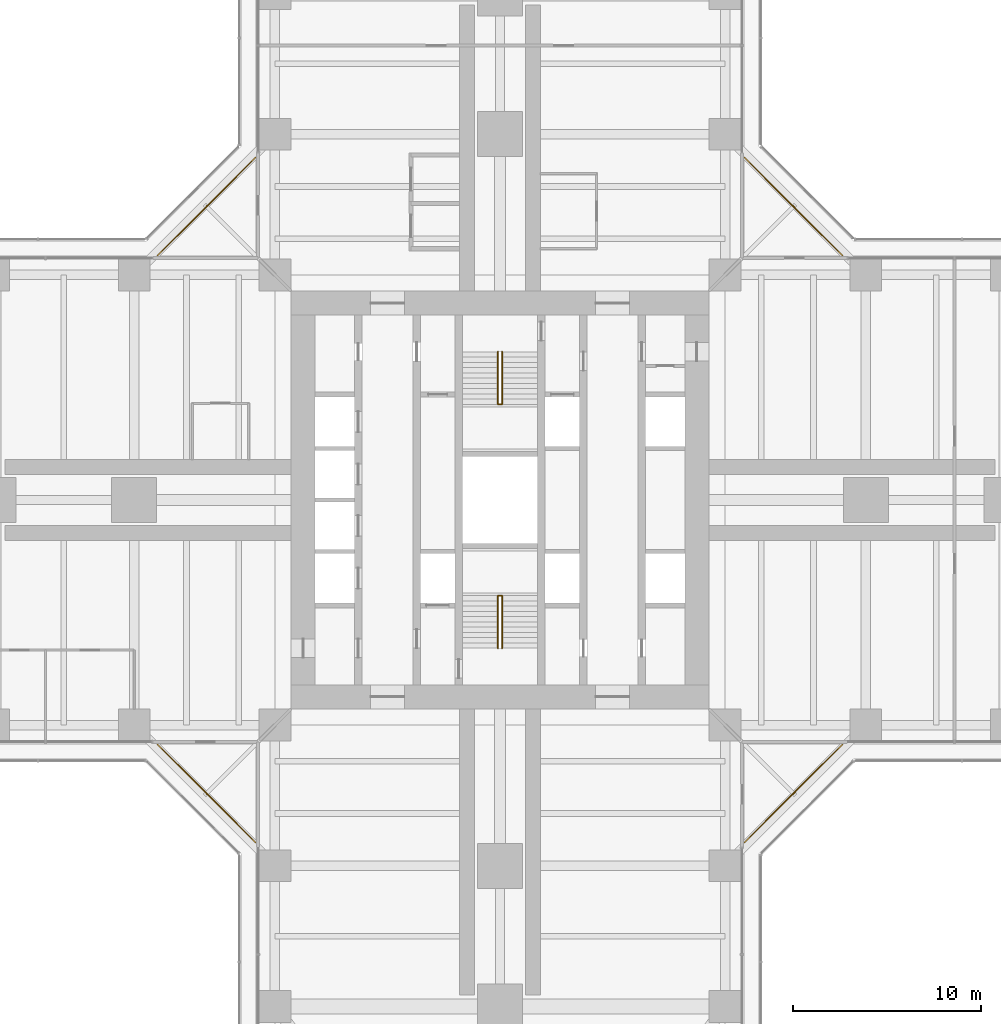
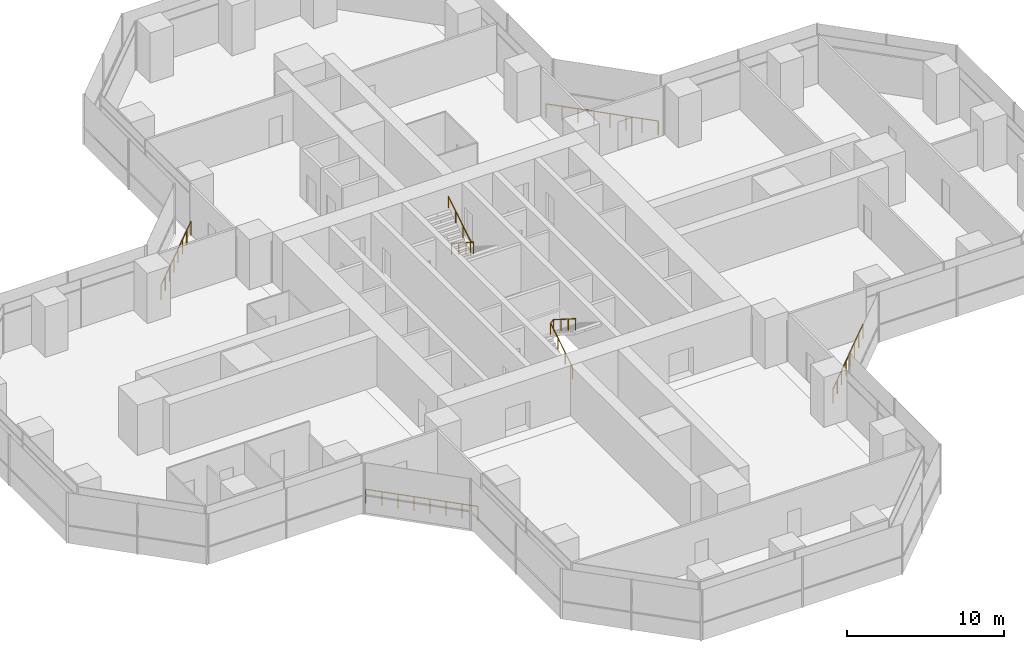
# One storey, part 22 of 22: 6 railings.
"""IFC4 building model written with IfcOpenShell, lengths in metres."""

from ifc_helpers import new_model, si_unit, direction, frame, origin, origin_2d, place, context, subcontext, project, spatial, circle, extrude, material, type_object, element, save


model = new_model("IFC4")

# Units and contexts
model_context = context("Model", 3, precision=1e-05, world=origin(), true_north=direction((0.0, 1.0)))
body_context = subcontext(model_context, "Body", "Model", "MODEL_VIEW")
ifc_project = project(units=[si_unit("LENGTHUNIT", "METRE"), si_unit("AREAUNIT", "SQUARE_METRE"), si_unit("VOLUMEUNIT", "CUBIC_METRE"), si_unit("PLANEANGLEUNIT", "RADIAN"), si_unit("MASSUNIT", "GRAM", prefix="KILO")], contexts=[model_context])

# Site, building, storey
site_placement = place(None, origin())
site = spatial("IfcSite", under=ifc_project, at=site_placement, CompositionType="ELEMENT")
building_placement = place(site_placement, origin())
building = spatial("IfcBuilding", under=site, at=building_placement, Name="Mizan Broadcast Tower", CompositionType="ELEMENT")
storey_placement = place(building_placement, frame((0.0, 0.0, 66.89990234375)))
storey = spatial("IfcBuildingStorey", under=building, at=storey_placement, Name="L13", CompositionType="ELEMENT", Elevation=66.89990234375)

# Railings
ifc_material_1 = material(Name="Stainless steel and glass guard", Category="steel")
railing_type_1 = type_object("IfcRailingType", Name="GUARD 1100", PredefinedType="GUARDRAIL", material=ifc_material_1)
railing_1_placement = place(storey_placement, frame((18.2578125, 13.030029296875, 0.0)))
element("IfcRailing", 1, at=railing_1_placement, inside=storey, type_object=railing_type_1, Name="Winter garden guard L13 E", PredefinedType="GUARDRAIL", context=body_context, shape_type="SweptSolid", body=[
    extrude(circle(Radius=0.02392578125, at=origin_2d()), frame((0.0, 0.0, 1.076171875), z_axis=(-0.707106781187, 0.707106781187, 0.0), x_axis=(-0.707106781187, -0.707106781187, 0.0)), (0.0, 0.0, 1.0), 7.393310546875),
    extrude(circle(Radius=0.02099609375, at=origin_2d()), origin(), (0.0, 0.0, 1.0), 1.052001953125),
    extrude(circle(Radius=0.02099609375, at=origin_2d()), frame((-0.746826171875, 0.746826171875, 0.0)), (0.0, 0.0, 1.0), 1.052001953125),
    extrude(circle(Radius=0.02099609375, at=origin_2d()), frame((-1.49365234375, 1.49365234375, 0.0)), (0.0, 0.0, 1.0), 1.052001953125),
    extrude(circle(Radius=0.02099609375, at=origin_2d()), frame((-2.240478515625, 2.240478515625, 0.0)), (0.0, 0.0, 1.0), 1.052001953125),
    extrude(circle(Radius=0.02099609375, at=origin_2d()), frame((-2.9873046875, 2.9873046875, 0.0)), (0.0, 0.0, 1.0), 1.052001953125),
    extrude(circle(Radius=0.02099609375, at=origin_2d()), frame((-3.734130859375, 3.734130859375, 0.0)), (0.0, 0.0, 1.0), 1.052001953125),
    extrude(circle(Radius=0.02099609375, at=origin_2d()), frame((-4.48095703125, 4.48095703125, 0.0)), (0.0, 0.0, 1.0), 1.052001953125),
    extrude(circle(Radius=0.02099609375, at=origin_2d()), frame((-5.227783203125, 5.227783203125, 0.0)), (0.0, 0.0, 1.0), 1.052001953125),
])
railing_2_placement = place(storey_placement, frame((-13.030029296875, 18.2578125, 0.0)))
element("IfcRailing", 2, at=railing_2_placement, inside=storey, type_object=railing_type_1, Name="Winter garden guard L13 N", PredefinedType="GUARDRAIL", context=body_context, shape_type="SweptSolid", body=[
    extrude(circle(Radius=0.02392578125, at=origin_2d()), frame((0.0, 0.0, 1.076171875), z_axis=(-0.707106781187, -0.707106781187, 0.0), x_axis=(0.707106781187, -0.707106781187, 0.0)), (0.0, 0.0, 1.0), 7.393310546875),
    extrude(circle(Radius=0.02099609375, at=origin_2d()), origin(), (0.0, 0.0, 1.0), 1.052001953125),
    extrude(circle(Radius=0.02099609375, at=origin_2d()), frame((-0.746826171875, -0.746826171875, 0.0)), (0.0, 0.0, 1.0), 1.052001953125),
    extrude(circle(Radius=0.02099609375, at=origin_2d()), frame((-1.49365234375, -1.49365234375, 0.0)), (0.0, 0.0, 1.0), 1.052001953125),
    extrude(circle(Radius=0.02099609375, at=origin_2d()), frame((-2.240478515625, -2.240478515625, 0.0)), (0.0, 0.0, 1.0), 1.052001953125),
    extrude(circle(Radius=0.02099609375, at=origin_2d()), frame((-2.9873046875, -2.9873046875, 0.0)), (0.0, 0.0, 1.0), 1.052001953125),
    extrude(circle(Radius=0.02099609375, at=origin_2d()), frame((-3.734130859375, -3.734130859375, 0.0)), (0.0, 0.0, 1.0), 1.052001953125),
    extrude(circle(Radius=0.02099609375, at=origin_2d()), frame((-4.48095703125, -4.48095703125, 0.0)), (0.0, 0.0, 1.0), 1.052001953125),
    extrude(circle(Radius=0.02099609375, at=origin_2d()), frame((-5.227783203125, -5.227783203125, 0.0)), (0.0, 0.0, 1.0), 1.052001953125),
])
railing_3_placement = place(storey_placement, frame((-18.2578125, -13.030029296875, 0.0)))
element("IfcRailing", 3, at=railing_3_placement, inside=storey, type_object=railing_type_1, Name="Winter garden guard L13 W", PredefinedType="GUARDRAIL", context=body_context, shape_type="SweptSolid", body=[
    extrude(circle(Radius=0.02392578125, at=origin_2d()), frame((0.0, 0.0, 1.076171875), z_axis=(0.707106781187, -0.707106781187, 0.0), x_axis=(0.707106781187, 0.707106781187, 0.0)), (0.0, 0.0, 1.0), 7.393310546875),
    extrude(circle(Radius=0.02099609375, at=origin_2d()), origin(), (0.0, 0.0, 1.0), 1.052001953125),
    extrude(circle(Radius=0.02099609375, at=origin_2d()), frame((0.746826171875, -0.746826171875, 0.0)), (0.0, 0.0, 1.0), 1.052001953125),
    extrude(circle(Radius=0.02099609375, at=origin_2d()), frame((1.49365234375, -1.49365234375, 0.0)), (0.0, 0.0, 1.0), 1.052001953125),
    extrude(circle(Radius=0.02099609375, at=origin_2d()), frame((2.240478515625, -2.240478515625, 0.0)), (0.0, 0.0, 1.0), 1.052001953125),
    extrude(circle(Radius=0.02099609375, at=origin_2d()), frame((2.9873046875, -2.9873046875, 0.0)), (0.0, 0.0, 1.0), 1.052001953125),
    extrude(circle(Radius=0.02099609375, at=origin_2d()), frame((3.734130859375, -3.734130859375, 0.0)), (0.0, 0.0, 1.0), 1.052001953125),
    extrude(circle(Radius=0.02099609375, at=origin_2d()), frame((4.48095703125, -4.48095703125, 0.0)), (0.0, 0.0, 1.0), 1.052001953125),
    extrude(circle(Radius=0.02099609375, at=origin_2d()), frame((5.227783203125, -5.227783203125, 0.0)), (0.0, 0.0, 1.0), 1.052001953125),
])
railing_4_placement = place(storey_placement, frame((13.030029296875, -18.2578125, 0.0)))
element("IfcRailing", 4, at=railing_4_placement, inside=storey, type_object=railing_type_1, Name="Winter garden guard L13 S", PredefinedType="GUARDRAIL", context=body_context, shape_type="SweptSolid", body=[
    extrude(circle(Radius=0.02392578125, at=origin_2d()), frame((0.0, 0.0, 1.076171875), z_axis=(0.707106781187, 0.707106781187, 0.0), x_axis=(-0.707106781187, 0.707106781187, 0.0)), (0.0, 0.0, 1.0), 7.393310546875),
    extrude(circle(Radius=0.02099609375, at=origin_2d()), origin(), (0.0, 0.0, 1.0), 1.052001953125),
    extrude(circle(Radius=0.02099609375, at=origin_2d()), frame((0.746826171875, 0.746826171875, 0.0)), (0.0, 0.0, 1.0), 1.052001953125),
    extrude(circle(Radius=0.02099609375, at=origin_2d()), frame((1.49365234375, 1.49365234375, 0.0)), (0.0, 0.0, 1.0), 1.052001953125),
    extrude(circle(Radius=0.02099609375, at=origin_2d()), frame((2.240478515625, 2.240478515625, 0.0)), (0.0, 0.0, 1.0), 1.052001953125),
    extrude(circle(Radius=0.02099609375, at=origin_2d()), frame((2.9873046875, 2.9873046875, 0.0)), (0.0, 0.0, 1.0), 1.052001953125),
    extrude(circle(Radius=0.02099609375, at=origin_2d()), frame((3.734130859375, 3.734130859375, 0.0)), (0.0, 0.0, 1.0), 1.052001953125),
    extrude(circle(Radius=0.02099609375, at=origin_2d()), frame((4.48095703125, 4.48095703125, 0.0)), (0.0, 0.0, 1.0), 1.052001953125),
    extrude(circle(Radius=0.02099609375, at=origin_2d()), frame((5.227783203125, 5.227783203125, 0.0)), (0.0, 0.0, 1.0), 1.052001953125),
])
ifc_material_2 = material(Name="Stainless steel", Category="steel")
railing_type_2 = type_object("IfcRailingType", Name="HANDRAIL 50", PredefinedType="HANDRAIL", material=ifc_material_2)
railing_5_placement = place(storey_placement, frame((-0.110107421875, -7.89990234375, 0.177490234375)))
element("IfcRailing", 5, at=railing_5_placement, inside=storey, type_object=railing_type_2, Name="Stair A handrail", PredefinedType="HANDRAIL", context=body_context, shape_type="SweptSolid", body=[
    extrude(circle(Radius=0.02392578125, at=origin_2d()), frame((0.0, 0.0, 0.8759765625), z_axis=(0.0, 0.844887892834, 0.53494340686), x_axis=(-1.0, 0.0, 0.0)), (0.0, 0.0, 1.0), 3.313720703125),
    extrude(circle(Radius=0.02392578125, at=origin_2d()), frame((0.0, 2.7998046875, 2.6484375), z_axis=(0.779011685263, 0.0, 0.627009405212), x_axis=(0.0, 1.0, 0.0)), (0.0, 0.0, 1.0), 0.28271484375),
    extrude(circle(Radius=0.02392578125, at=origin_2d()), frame((0.22021484375, 2.7998046875, 2.82568359375), z_axis=(0.0, -0.844887892834, 0.53494340686), x_axis=(1.0, 0.0, 0.0)), (0.0, 0.0, 1.0), 3.313720703125),
    extrude(circle(Radius=0.02099609375, at=origin_2d()), origin(), (0.0, 0.0, 1.0), 0.851806640625),
    extrude(circle(Radius=0.02099609375, at=origin_2d()), frame((0.0, 0.933349609375, 0.5908203125)), (0.0, 0.0, 1.0), 0.851806640625),
    extrude(circle(Radius=0.02099609375, at=origin_2d()), frame((0.0, 1.866455078125, 1.181884765625)), (0.0, 0.0, 1.0), 0.851806640625),
    extrude(circle(Radius=0.02099609375, at=origin_2d()), frame((0.0, 2.7998046875, 1.772705078125)), (0.0, 0.0, 1.0), 0.851806640625),
    extrude(circle(Radius=0.02099609375, at=origin_2d()), frame((0.22021484375, 2.7998046875, 1.949951171875)), (0.0, 0.0, 1.0), 0.851806640625),
    extrude(circle(Radius=0.02099609375, at=origin_2d()), frame((0.22021484375, 1.866455078125, 2.540771484375)), (0.0, 0.0, 1.0), 0.851806640625),
    extrude(circle(Radius=0.02099609375, at=origin_2d()), frame((0.22021484375, 0.933349609375, 3.1318359375)), (0.0, 0.0, 1.0), 0.851806640625),
    extrude(circle(Radius=0.02099609375, at=origin_2d()), frame((0.22021484375, 0.0, 3.72265625)), (0.0, 0.0, 1.0), 0.851806640625),
])
railing_6_placement = place(storey_placement, frame((0.110107421875, 7.89990234375, 0.177490234375)))
element("IfcRailing", 6, at=railing_6_placement, inside=storey, type_object=railing_type_2, Name="Stair B handrail", PredefinedType="HANDRAIL", context=body_context, shape_type="SweptSolid", body=[
    extrude(circle(Radius=0.02392578125, at=origin_2d()), frame((0.0, 0.0, 0.8759765625), z_axis=(0.0, -0.844887892834, 0.53494340686), x_axis=(1.0, 0.0, 0.0)), (0.0, 0.0, 1.0), 3.313720703125),
    extrude(circle(Radius=0.02392578125, at=origin_2d()), frame((0.0, -2.7998046875, 2.6484375), z_axis=(-0.779011685263, 0.0, 0.627009405212), x_axis=(0.0, -1.0, 0.0)), (0.0, 0.0, 1.0), 0.28271484375),
    extrude(circle(Radius=0.02392578125, at=origin_2d()), frame((-0.22021484375, -2.7998046875, 2.82568359375), z_axis=(0.0, 0.844887892834, 0.53494340686), x_axis=(-1.0, 0.0, 0.0)), (0.0, 0.0, 1.0), 3.313720703125),
    extrude(circle(Radius=0.02099609375, at=origin_2d()), origin(), (0.0, 0.0, 1.0), 0.851806640625),
    extrude(circle(Radius=0.02099609375, at=origin_2d()), frame((0.0, -0.933349609375, 0.5908203125)), (0.0, 0.0, 1.0), 0.851806640625),
    extrude(circle(Radius=0.02099609375, at=origin_2d()), frame((0.0, -1.866455078125, 1.181884765625)), (0.0, 0.0, 1.0), 0.851806640625),
    extrude(circle(Radius=0.02099609375, at=origin_2d()), frame((0.0, -2.7998046875, 1.772705078125)), (0.0, 0.0, 1.0), 0.851806640625),
    extrude(circle(Radius=0.02099609375, at=origin_2d()), frame((-0.22021484375, -2.7998046875, 1.949951171875)), (0.0, 0.0, 1.0), 0.851806640625),
    extrude(circle(Radius=0.02099609375, at=origin_2d()), frame((-0.22021484375, -1.866455078125, 2.540771484375)), (0.0, 0.0, 1.0), 0.851806640625),
    extrude(circle(Radius=0.02099609375, at=origin_2d()), frame((-0.22021484375, -0.933349609375, 3.1318359375)), (0.0, 0.0, 1.0), 0.851806640625),
    extrude(circle(Radius=0.02099609375, at=origin_2d()), frame((-0.22021484375, 0.0, 3.72265625)), (0.0, 0.0, 1.0), 0.851806640625),
])

save(model, "model.ifc")
